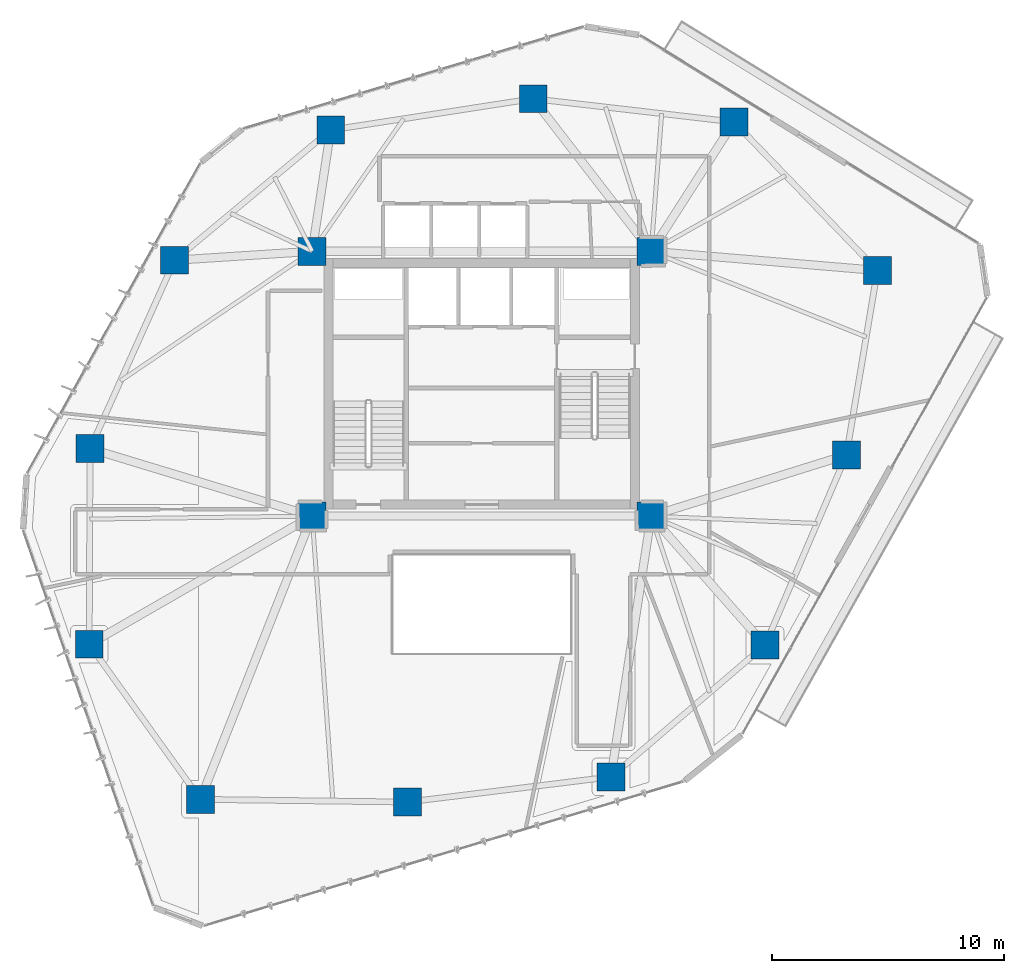
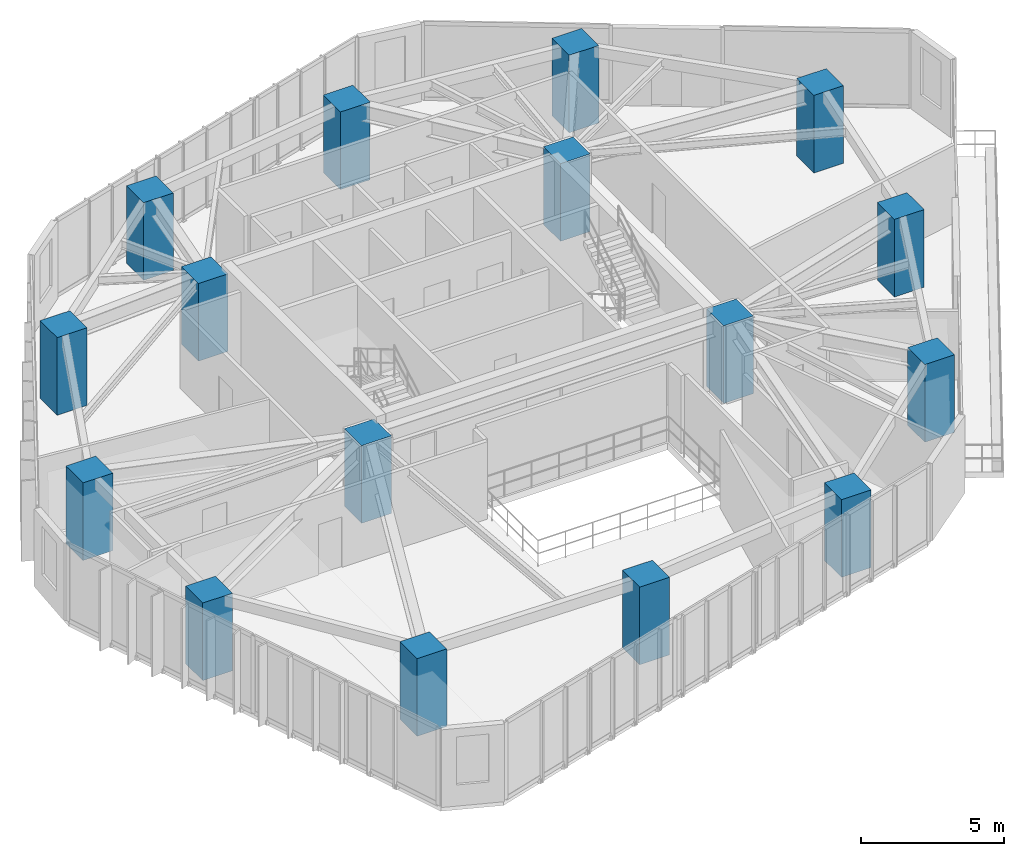
# One storey, part 1 of 21: 16 columns.
"""IFC4 building model written with IfcOpenShell, lengths in metres."""

from ifc_helpers import new_model, si_unit, direction, frame, origin, origin_2d, place, context, subcontext, project, spatial, rectangle, extrude, material, material_profile, profile_set, type_object, element, save


model = new_model("IFC4")

# Units and contexts
model_context = context("Model", 3, precision=1e-05, world=origin(), true_north=direction((0.0, 1.0)))
body_context = subcontext(model_context, "Body", "Model", "MODEL_VIEW")
ifc_project = project(units=[si_unit("LENGTHUNIT", "METRE"), si_unit("AREAUNIT", "SQUARE_METRE"), si_unit("VOLUMEUNIT", "CUBIC_METRE"), si_unit("PLANEANGLEUNIT", "RADIAN"), si_unit("MASSUNIT", "GRAM", prefix="KILO")], contexts=[model_context])

# Site, building, storey
site_placement = place(None, origin())
site = spatial("IfcSite", under=ifc_project, at=site_placement, CompositionType="ELEMENT")
building_placement = place(site_placement, origin())
building = spatial("IfcBuilding", under=site, at=building_placement, Name="Talar Marvaseh", CompositionType="ELEMENT")
storey_placement = place(building_placement, frame((0.0, 0.0, 139.800048828125)))
storey = spatial("IfcBuildingStorey", under=building, at=storey_placement, Name="L36", CompositionType="ELEMENT", Elevation=139.800048828125)

# Columns
ifc_material = material(Name="Concrete C60/75", Category="concrete")
ifc_material_profile = material_profile(ifc_material, rectangle(XDim=1.199951171875, YDim=1.199951171875, at=origin_2d()), Name="RC1200x1200")
ifc_profile_set = profile_set([ifc_material_profile], Name="Concrete C60/75")
column_type = type_object("IfcColumnType", Name="Zone 2 Tube Column RC1200x1200", PredefinedType="COLUMN", material=ifc_profile_set)
for number, where, z_axis, x_axis, name in (
    (1, (36.865966796875, 42.470947265625, 0.0), (0.0, 0.0, 1.0), (1.0, 0.0, 0.0), "L36 Zone 2 Tube Column RC1200x1200"),
    (2, (43.0439453125, 36.075927734375, 0.0), (0.0, 0.0, 1.0), (1.0, 0.0, 0.0), "L36 Zone 2 Tube Column RC1200x1200"),
    (3, (41.708984375, 28.1279296875, 0.0), (0.0, 0.0, 1.0), (1.0, 0.0, 0.0), "L36 Zone 2 Tube Column RC1200x1200"),
    (4, (38.2060546875, 19.94091796875, 0.0), (0.0, 0.0, 1.0), (1.0, 0.0, 0.0), "L36 Zone 2 Tube Column RC1200x1200"),
    (5, (31.570068359375, 14.26806640625, 0.0), (0.0, 0.0, 1.0), (1.0, 0.0, 0.0), "L36 Zone 2 Tube Column RC1200x1200"),
    (6, (22.804931640625, 13.18310546875, 0.0), (0.0, 0.0, 1.0), (1.0, 0.0, 0.0), "L36 Zone 2 Tube Column RC1200x1200"),
    (7, (13.89111328125, 13.299072265625, 0.0), (0.0, 0.0, 1.0), (1.0, 0.0, 0.0), "L36 Zone 2 Tube Column RC1200x1200"),
    (8, (9.10107421875, 19.97705078125, 0.0), (0.0, 0.0, 1.0), (1.0, 0.0, 0.0), "L36 Zone 2 Tube Column RC1200x1200"),
    (9, (9.137939453125, 28.402099609375, 0.0), (0.0, 0.0, 1.0), (1.0, 0.0, 0.0), "L36 Zone 2 Tube Column RC1200x1200"),
    (10, (12.780029296875, 36.51708984375, 0.0), (0.0, 0.0, 1.0), (1.0, 0.0, 0.0), "L36 Zone 2 Tube Column RC1200x1200"),
    (11, (19.5009765625, 42.123046875, 0.0), (0.0, 0.0, 1.0), (1.0, 0.0, 0.0), "L36 Zone 2 Tube Column RC1200x1200"),
    (12, (28.221923828125, 43.471923828125, 0.0), (0.0, 0.0, 1.0), (1.0, 0.0, 0.0), "L36 Zone 2 Tube Column RC1200x1200"),
    (13, (18.699951171875, 25.5, 0.0), (0.0, 0.0, 1.0), (1.0, 0.0, 0.0), "L36 Zone 2 Tube Column RC1200x1200"),
    (14, (33.300048828125, 25.5, 0.0), (0.0, 0.0, 1.0), (1.0, 0.0, 0.0), "L36 Zone 2 Tube Column RC1200x1200"),
    (15, (33.300048828125, 36.89990234375, 0.0), (0.0, 0.0, 1.0), (1.0, 0.0, 0.0), "L36 Zone 2 Tube Column RC1200x1200"),
    (16, (18.699951171875, 36.89990234375, 0.0), (0.0, 0.0, 1.0), (1.0, 0.0, 0.0), "L36 Zone 2 Tube Column RC1200x1200"),
):
    element("IfcColumn", number, at=place(storey_placement, frame(where, z_axis=z_axis, x_axis=x_axis)), inside=storey, type_object=column_type, Name=name, PredefinedType="COLUMN", context=body_context, shape_type="SweptSolid", body=[
        extrude(rectangle(XDim=1.199951171875, YDim=1.199951171875, at=origin_2d()), origin(), (0.0, 0.0, 1.0), 3.31005859375),
    ])

save(model, "model.ifc")
